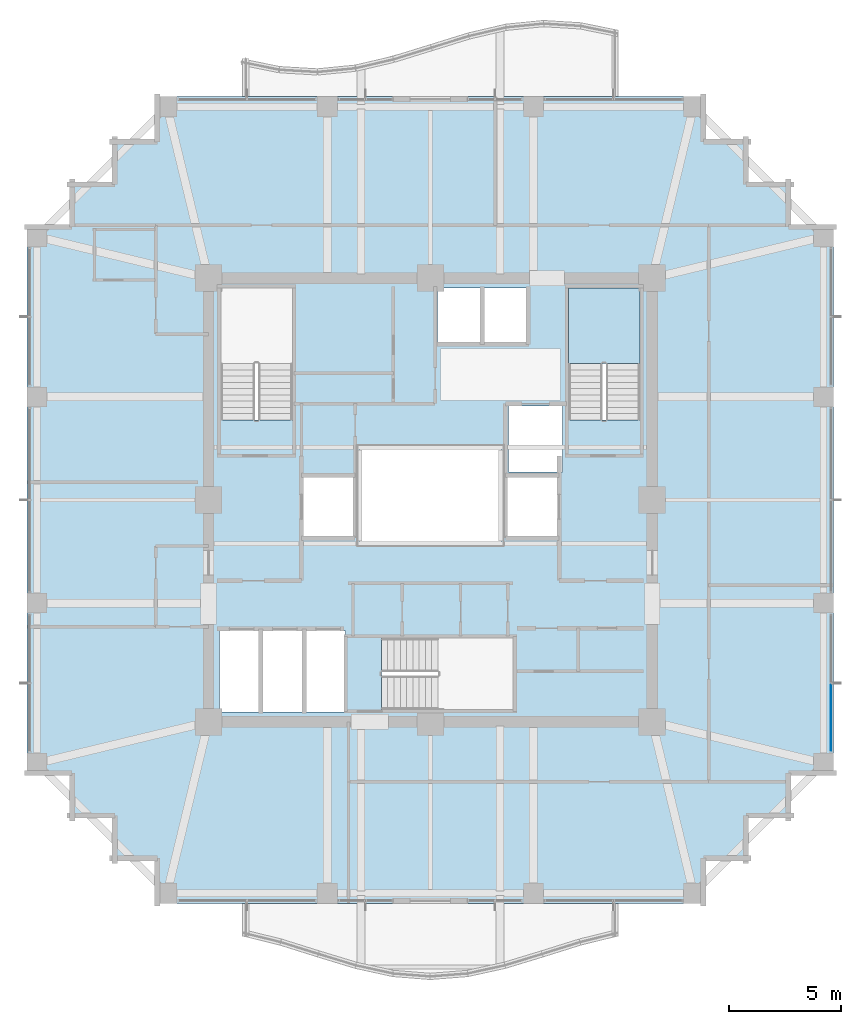
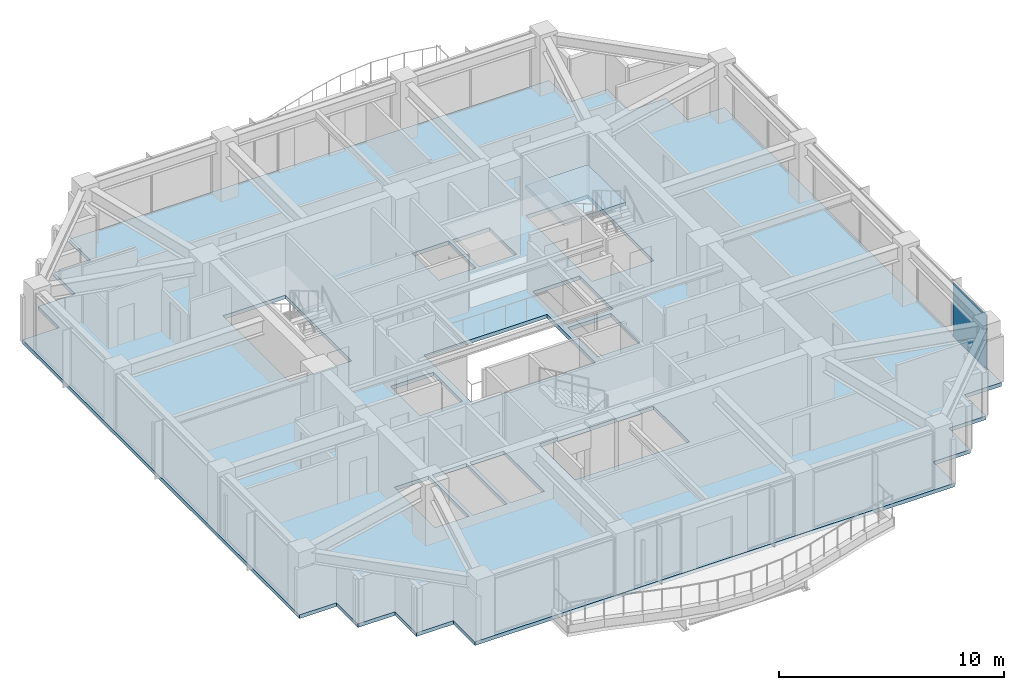
# One storey, part 24 of 31: 2 slabs, 1 plate, 2 elements without a shape of their own.
"""IFC4 building model written with IfcOpenShell, lengths in metres."""

from ifc_helpers import new_model, si_unit, direction, frame, origin, origin_2d, place, context, subcontext, project, spatial, polyline, rectangle, outline, extrude, material, layer, layer_set, type_object, element, aggregate, save


model = new_model("IFC4")

# Units and contexts
model_context = context("Model", 3, precision=1e-05, world=origin(), true_north=direction((0.0, 1.0)))
body_context = subcontext(model_context, "Body", "Model", "MODEL_VIEW")
ifc_project = project(units=[si_unit("LENGTHUNIT", "METRE"), si_unit("AREAUNIT", "SQUARE_METRE"), si_unit("VOLUMEUNIT", "CUBIC_METRE"), si_unit("PLANEANGLEUNIT", "RADIAN"), si_unit("MASSUNIT", "GRAM", prefix="KILO")], contexts=[model_context])

# Site, building, storey
site_placement = place(None, origin())
site = spatial("IfcSite", under=ifc_project, at=site_placement, CompositionType="ELEMENT")
building_placement = place(site_placement, origin())
building = spatial("IfcBuilding", under=site, at=building_placement, Name="Kolvaren Belvedere", CompositionType="ELEMENT")
storey_placement = place(building_placement, frame((0.0, 0.0, 138.199951171875)))
storey = spatial("IfcBuildingStorey", under=building, at=storey_placement, Name="L40", CompositionType="ELEMENT", Elevation=138.199951171875)

# Curtain wall, plate
ifc_material_1 = material(Name="Anodised pale-metal aluminium AA 6063-T6", Category="aluminium")
curtain_wall_type = type_object("IfcCurtainWallType", Name="CW-Z3-WAIST", PredefinedType="NOTDEFINED", material=ifc_material_1)
curtain_wall_placement = place(storey_placement, origin())
curtain_wall = element("IfcCurtainWall", 1, at=curtain_wall_placement, inside=storey, type_object=curtain_wall_type, Name="L40 Unitised Curtain Wall FCW-L40-E-B3", PredefinedType="NOTDEFINED")
ifc_material_2 = material(Name="Low-iron triple insulated glass", Category="glass")
ifc_layer_1 = layer(ifc_material_2, 0.028076171875)
ifc_layer_set_1 = layer_set([ifc_layer_1], Name="Low-iron triple insulated glass")
plate_type = type_object("IfcPlateType", Name="CW-PNL-VIS28", PredefinedType="CURTAIN_PANEL", material=ifc_layer_set_1)
plate_placement = place(storey_placement, frame((17.8798828125, -9.711181640625, 0.080078125), z_axis=(0.0, 0.0, 1.0), x_axis=(0.0, -1.0, 0.0)))
plate = element("IfcPlate", 2, at=plate_placement, type_object=plate_type, Name="FCW-L40-E-B3 Vision Glazing Panel 2", PredefinedType="CURTAIN_PANEL", context=body_context, shape_type="SweptSolid", body=[
    extrude(rectangle(XDim=2.992431640625, YDim=0.028076171875, at=origin_2d()), origin(), (0.0, 0.0, 1.0), 2.93994140625),
])
aggregate(curtain_wall, [plate])

# Slab
ifc_material_3 = material(Name="Concrete C50/60", Category="concrete")
ifc_layer_2 = layer(ifc_material_3, 0.199951171875)
ifc_layer_set_2 = layer_set([ifc_layer_2], Name="Concrete C50/60")
slab_type_1 = type_object("IfcSlabType", Name="SL-FLR-200", PredefinedType="FLOOR", material=ifc_layer_set_2)
slab_1_placement = place(storey_placement, frame((0.0, 0.0, -0.199951171875)))
element("IfcSlab", 3, at=slab_1_placement, inside=storey, type_object=slab_type_1, Name="L40 Primary Structural Slab", PredefinedType="FLOOR", context=body_context, shape_type="SweptSolid", body=[
    extrude(outline(polyline([(-12.300048828125, -18.0), (12.300048828125, -18.0), (12.300048828125, -16.10009765625), (14.199951171875, -16.10009765625), (14.199951171875, -14.199951171875), (16.10009765625, -14.199951171875), (16.10009765625, -12.300048828125), (18.0, -12.300048828125), (18.0, 12.300048828125), (16.10009765625, 12.300048828125), (16.10009765625, 14.199951171875), (14.199951171875, 14.199951171875), (14.199951171875, 16.10009765625), (12.300048828125, 16.10009765625), (12.300048828125, 18.0), (-12.300048828125, 18.0), (-12.300048828125, 16.10009765625), (-14.199951171875, 16.10009765625), (-14.199951171875, 14.199951171875), (-16.10009765625, 14.199951171875), (-16.10009765625, 12.300048828125), (-18.0, 12.300048828125), (-18.0, -12.300048828125), (-16.10009765625, -12.300048828125), (-16.10009765625, -14.199951171875), (-14.199951171875, -14.199951171875), (-14.199951171875, -16.10009765625), (-12.300048828125, -16.10009765625), (-12.300048828125, -18.0)]), holes=[polyline([(-9.35009765625, 3.580078125), (-6.159912109375, 3.580078125), (-6.159912109375, 9.449951171875), (-9.35009765625, 9.449951171875), (-9.35009765625, 3.580078125)]), polyline([(6.159912109375, 3.580078125), (9.35009765625, 3.580078125), (9.35009765625, 9.449951171875), (6.159912109375, 9.449951171875), (6.159912109375, 3.580078125)]), polyline([(-2.169921875, -9.35009765625), (3.699951171875, -9.35009765625), (3.699951171875, -6.159912109375), (-2.169921875, -6.159912109375), (-2.169921875, -9.35009765625)]), polyline([(-5.64990234375, -1.60009765625), (-3.449951171875, -1.60009765625), (-3.449951171875, 1.0), (-5.64990234375, 1.0), (-5.64990234375, -1.60009765625)]), polyline([(3.5, 1.25), (5.89990234375, 1.25), (5.89990234375, 4.199951171875), (3.5, 4.199951171875), (3.5, 1.25)]), polyline([(3.449951171875, -1.60009765625), (5.64990234375, -1.60009765625), (5.64990234375, 1.0), (3.449951171875, 1.0), (3.449951171875, -1.60009765625)]), polyline([(-9.39990234375, -9.449951171875), (-7.64990234375, -9.449951171875), (-7.64990234375, -5.85009765625), (-9.39990234375, -5.85009765625), (-9.39990234375, -9.449951171875)]), polyline([(-7.469970703125, -9.449951171875), (-5.719970703125, -9.449951171875), (-5.719970703125, -5.85009765625), (-7.469970703125, -5.85009765625), (-7.469970703125, -9.449951171875)]), polyline([(-5.5400390625, -9.449951171875), (-3.7900390625, -9.449951171875), (-3.7900390625, -5.85009765625), (-5.5400390625, -5.85009765625), (-5.5400390625, -9.449951171875)]), polyline([(0.320068359375, 7.050048828125), (2.219970703125, 7.050048828125), (2.219970703125, 9.449951171875), (0.320068359375, 9.449951171875), (0.320068359375, 7.050048828125)]), polyline([(2.39990234375, 7.050048828125), (4.300048828125, 7.050048828125), (4.300048828125, 9.449951171875), (2.39990234375, 9.449951171875), (2.39990234375, 7.050048828125)]), polyline([(-3.14990234375, -1.949951171875), (3.14990234375, -1.949951171875), (3.14990234375, 2.35009765625), (-3.14990234375, 2.35009765625), (-3.14990234375, -1.949951171875)])]), origin(), (0.0, 0.0, 1.0), 0.199951171875),
])

# Stair, slab
ifc_material_4 = material(Name="Concrete C50/60", Category="concrete")
stair_type = type_object("IfcStairType", Name="ST-CORE-1520", PredefinedType="HALF_TURN_STAIR", material=ifc_material_4)
stair_placement = place(storey_placement, origin())
stair = element("IfcStair", 4, at=stair_placement, inside=storey, type_object=stair_type, Name="L40 Protected Exit Stair ST-2", PredefinedType="HALF_TURN_STAIR")
ifc_material_5 = material(Name="Concrete C50/60", Category="concrete")
ifc_layer_3 = layer(ifc_material_5, 0.260009765625)
ifc_layer_set_3 = layer_set([ifc_layer_3], Name="Concrete C50/60")
slab_type_2 = type_object("IfcSlabType", Name="SL-LAND-260", PredefinedType="LANDING", material=ifc_layer_set_3)
slab_2_placement = place(storey_placement, frame((0.0, 0.0, 1.449951171875)))
slab_2 = element("IfcSlab", 5, at=slab_2_placement, type_object=slab_type_2, Name="ST-2 landing 1", PredefinedType="LANDING", context=body_context, shape_type="SweptSolid", body=[
    extrude(outline(polyline([(9.35009765625, 6.090087890625), (9.35009765625, 9.449951171875), (6.159912109375, 9.449951171875), (6.159912109375, 6.090087890625), (9.35009765625, 6.090087890625)])), origin(), (0.0, 0.0, 1.0), 0.2001953125),
])
aggregate(stair, [slab_2])

save(model, "model.ifc")
